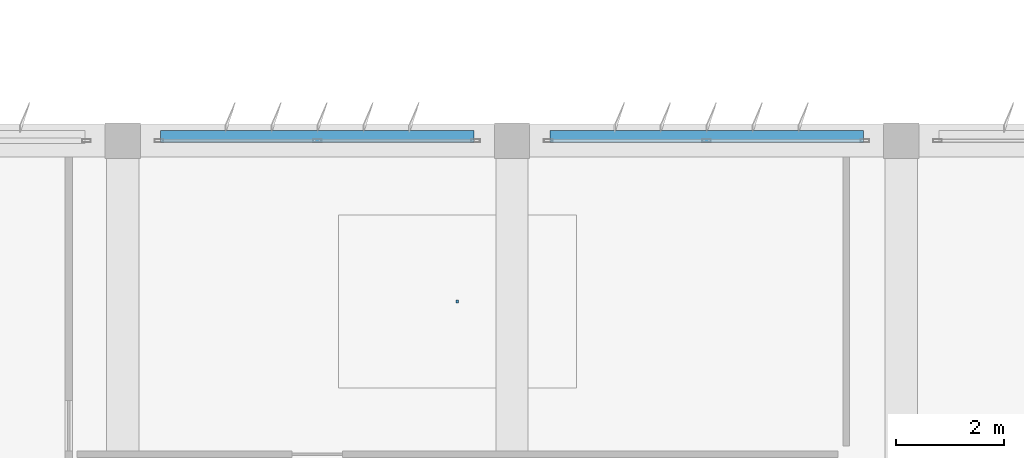
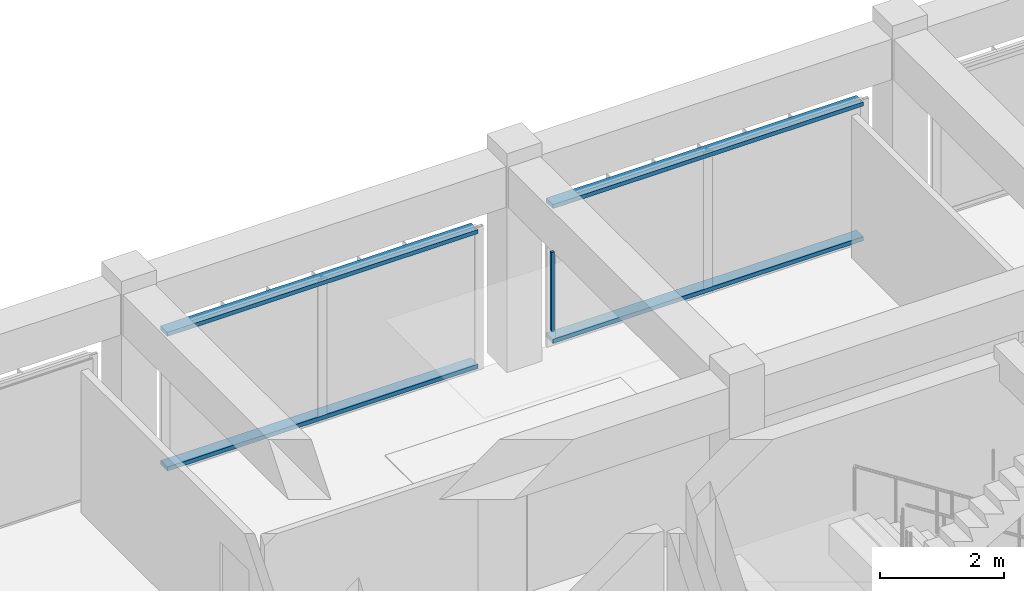
# One storey, part 43 of 53: 5 discrete accessories.
"""IFC4 building model written with IfcOpenShell, lengths in metres."""

from ifc_helpers import new_model, si_unit, direction, frame, origin, origin_2d, place, context, subcontext, project, spatial, rectangle, extrude, material, type_object, element, save


model = new_model("IFC4")

# Units and contexts
model_context = context("Model", 3, precision=1e-05, world=origin(), true_north=direction((0.0, 1.0)))
body_context = subcontext(model_context, "Body", "Model", "MODEL_VIEW")
ifc_project = project(units=[si_unit("LENGTHUNIT", "METRE"), si_unit("AREAUNIT", "SQUARE_METRE"), si_unit("VOLUMEUNIT", "CUBIC_METRE"), si_unit("PLANEANGLEUNIT", "RADIAN"), si_unit("MASSUNIT", "GRAM", prefix="KILO")], contexts=[model_context])

# Site, building, storey
site_placement = place(None, origin())
site = spatial("IfcSite", under=ifc_project, at=site_placement, CompositionType="ELEMENT")
building_placement = place(site_placement, origin())
building = spatial("IfcBuilding", under=site, at=building_placement, Name="Kazehaya Institute of Natural Sciences", CompositionType="ELEMENT")
storey_placement = place(building_placement, frame((0.0, 0.0, 33.300048828125)))
storey = spatial("IfcBuildingStorey", under=building, at=storey_placement, Name="L07", CompositionType="ELEMENT", Elevation=33.300048828125)

# Discrete accessories
ifc_material_1 = material(Name="Aluminium alloy A6063S-T5", Category="aluminium")
discrete_accessory_type_1 = type_object("IfcDiscreteAccessoryType", Name="ACC-BRK-01", PredefinedType="BRACKET", material=ifc_material_1)
for number, where, z_axis, x_axis, name in (
    (1, (101.39990234375, 35.675048828125, 0.039794921875), (0.0, 0.0, 1.0), (1.0, 0.0, 0.0), "L07 fin support outrigger rail 1"),
    (2, (101.39990234375, 35.675048828125, 2.699951171875), (0.0, 0.0, 1.0), (1.0, 0.0, 0.0), "L07 fin support outrigger rail 2"),
    (3, (108.60009765625, 35.675048828125, 0.039794921875), (0.0, 0.0, 1.0), (1.0, 0.0, 0.0), "L07 fin support outrigger rail 1"),
    (4, (108.60009765625, 35.675048828125, 2.699951171875), (0.0, 0.0, 1.0), (1.0, 0.0, 0.0), "L07 fin support outrigger rail 2"),
):
    element("IfcDiscreteAccessory", number, at=place(storey_placement, frame(where, z_axis=z_axis, x_axis=x_axis)), inside=storey, type_object=discrete_accessory_type_1, Name=name, PredefinedType="BRACKET", context=body_context, shape_type="SweptSolid", body=[
        extrude(rectangle(XDim=5.800048828125, YDim=0.219970703125, at=origin_2d()), origin(), (0.0, 0.0, 1.0), 0.080078125),
    ])
ifc_material_2 = material(Name="Structural steel SN490B", Category="steel")
discrete_accessory_type_2 = type_object("IfcDiscreteAccessoryType", Name="ACC-CLG-HGR", PredefinedType="BRACKET", material=ifc_material_2)
discrete_accessory_placement = place(storey_placement, frame((103.989990234375, 32.625, 2.67236328125), z_axis=(0.0, 0.0, 1.0), x_axis=(1.0, 0.0, 0.0)))
element("IfcDiscreteAccessory", 5, at=discrete_accessory_placement, inside=storey, type_object=discrete_accessory_type_2, Name="L07 ceiling suspension hanger 68", PredefinedType="BRACKET", context=body_context, shape_type="SweptSolid", body=[
    extrude(rectangle(XDim=0.050048828125, YDim=0.050048828125, at=origin_2d()), origin(), (0.0, 0.0, 1.0), 1.5673828125),
])

save(model, "model.ifc")
